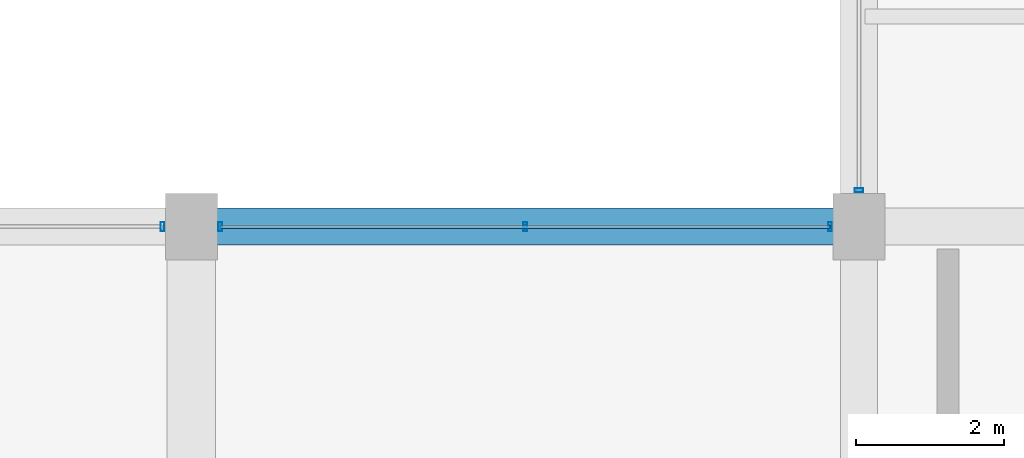
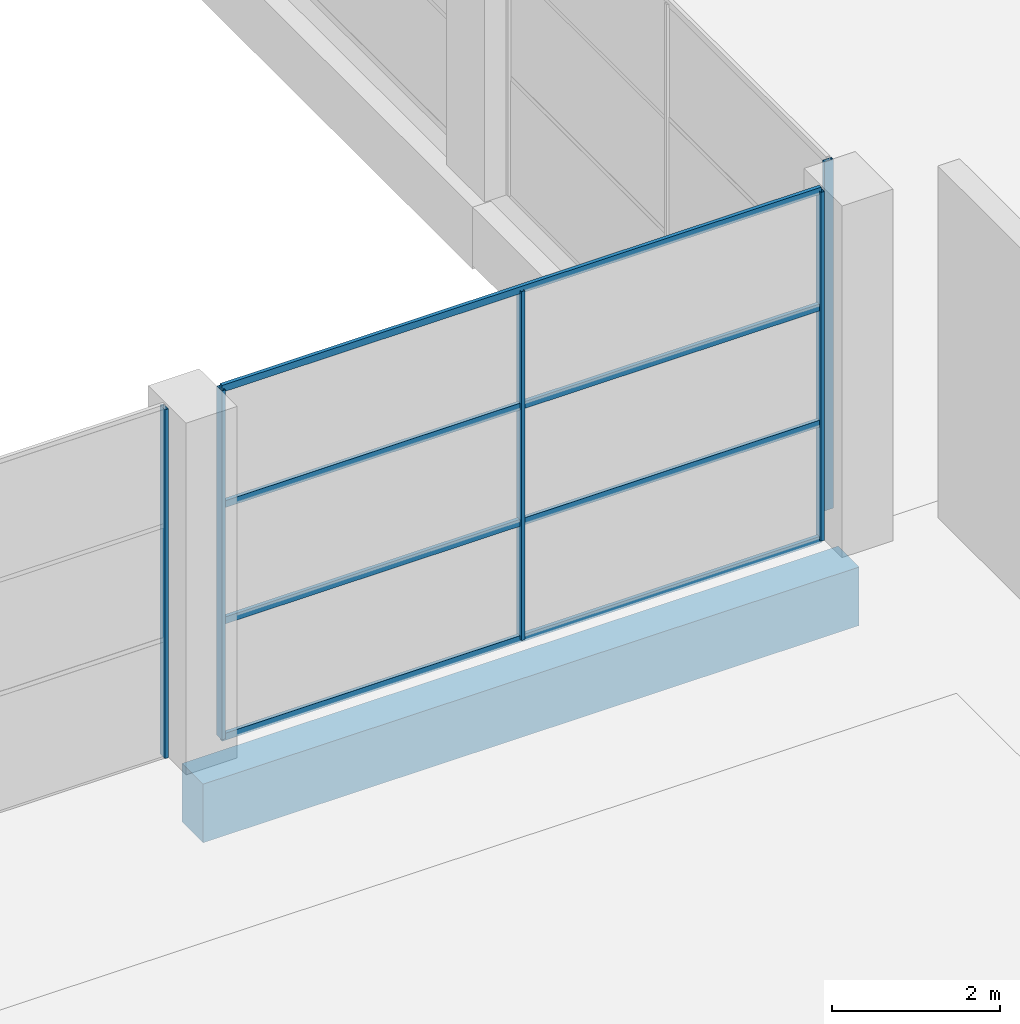
# One storey, part 46 of 90: 9 members, 1 beam, 3 elements without a shape of their own.
"""IFC4 building model written with IfcOpenShell, lengths in metres."""

from ifc_helpers import new_model, si_unit, direction, frame, origin, origin_2d, place, context, subcontext, project, spatial, rectangle, hollow_rectangle, extrude, material, material_profile, profile_set, type_object, element, aggregate, save


model = new_model("IFC4")

# Units and contexts
model_context = context("Model", 3, precision=1e-05, world=origin(), true_north=direction((0.0, 1.0)))
body_context = subcontext(model_context, "Body", "Model", "MODEL_VIEW")
ifc_project = project(units=[si_unit("LENGTHUNIT", "METRE"), si_unit("AREAUNIT", "SQUARE_METRE"), si_unit("VOLUMEUNIT", "CUBIC_METRE"), si_unit("PLANEANGLEUNIT", "RADIAN"), si_unit("MASSUNIT", "GRAM", prefix="KILO")], contexts=[model_context])

# Site, building, storey
site_placement = place(None, origin())
site = spatial("IfcSite", under=ifc_project, at=site_placement, CompositionType="ELEMENT")
building_placement = place(site_placement, origin())
building = spatial("IfcBuilding", under=site, at=building_placement, Name="Solvikara Media Centre", CompositionType="ELEMENT")
storey_placement = place(building_placement, origin())
storey = spatial("IfcBuildingStorey", under=building, at=storey_placement, Name="L00", CompositionType="ELEMENT", Elevation=0.0)

# Beam
ifc_material_1 = material(Name="Concrete fc' 35 MPa (C35/45)", Category="concrete")
ifc_material_profile_1 = material_profile(ifc_material_1, rectangle(XDim=0.5, YDim=0.85009765625, at=origin_2d()), Name="RC 500x850")
ifc_profile_set_1 = profile_set([ifc_material_profile_1], Name="Concrete fc' 35 MPa (C35/45)")
beam_type = type_object("IfcBeamType", Name="BM-08", PredefinedType="BEAM", material=ifc_profile_set_1)
beam_placement = place(storey_placement, frame((145.5, 72.0, -0.804931640625), z_axis=(1.0, 0.0, 0.0), x_axis=(0.0, 1.0, 0.0)))
element("IfcBeam", 1, at=beam_placement, inside=storey, type_object=beam_type, Name="B-L00-X0080", PredefinedType="BEAM", context=body_context, shape_type="SweptSolid", body=[
    extrude(rectangle(XDim=0.5, YDim=0.85009765625, at=origin_2d()), origin(), (0.0, 0.0, 1.0), 9.0),
])

# Curtain wall, member
ifc_material_2 = material(Name="Anodised aluminium EN AW-6063", Category="aluminium")
curtain_wall_type = type_object("IfcCurtainWallType", Name="CW-12", PredefinedType="NOTDEFINED", material=ifc_material_2)
curtain_wall_1_placement = place(storey_placement, origin())
curtain_wall_1 = element("IfcCurtainWall", 2, at=curtain_wall_1_placement, inside=storey, type_object=curtain_wall_type, Name="CW-L00-CRT-1-S1", PredefinedType="NOTDEFINED")
ifc_material_profile_2 = material_profile(ifc_material_2, hollow_rectangle(XDim=0.050048828125, YDim=0.1201171875, WallThickness=0.0029296875, at=origin_2d()), Name="ALU-M 50x120x3")
ifc_profile_set_2 = profile_set([ifc_material_profile_2], Name="Anodised aluminium EN AW-6063")
member_type_1 = type_object("IfcMemberType", Name="MF-06", PredefinedType="MULLION", material=ifc_profile_set_2)
member_1_placement = place(storey_placement, frame((145.110107421875, 72.0, 0.02001953125), z_axis=(0.0, 0.0, 1.0), x_axis=(1.0, 0.0, 0.0)))
member_1 = element("IfcMember", 3, at=member_1_placement, type_object=member_type_1, Name="CW-L00-CRT-1-S1-M02", PredefinedType="MULLION", context=body_context, shape_type="SweptSolid", body=[
    extrude(hollow_rectangle(XDim=0.050048828125, YDim=0.1201171875, WallThickness=0.0029296875, at=origin_2d()), origin(), (0.0, 0.0, 1.0), 5.06005859375),
])
aggregate(curtain_wall_1, [member_1])

# Curtain wall, members
curtain_wall_2_placement = place(storey_placement, origin())
curtain_wall_2 = element("IfcCurtainWall", 4, at=curtain_wall_2_placement, inside=storey, type_object=curtain_wall_type, Name="CW-L00-CRT-1-S2", PredefinedType="NOTDEFINED")
member_2_placement = place(storey_placement, frame((145.889892578125, 72.0, 0.02001953125), z_axis=(0.0, 0.0, 1.0), x_axis=(1.0, 0.0, 0.0)))
member_2 = element("IfcMember", 5, at=member_2_placement, type_object=member_type_1, Name="CW-L00-CRT-1-S2-M00", PredefinedType="MULLION", context=body_context, shape_type="SweptSolid", body=[
    extrude(hollow_rectangle(XDim=0.050048828125, YDim=0.1201171875, WallThickness=0.0029296875, at=origin_2d()), origin(), (0.0, 0.0, 1.0), 5.06005859375),
])
member_3_placement = place(storey_placement, frame((150.0, 72.0, 0.02001953125), z_axis=(0.0, 0.0, 1.0), x_axis=(1.0, 0.0, 0.0)))
member_3 = element("IfcMember", 6, at=member_3_placement, type_object=member_type_1, Name="CW-L00-CRT-1-S2-M01", PredefinedType="MULLION", context=body_context, shape_type="SweptSolid", body=[
    extrude(hollow_rectangle(XDim=0.050048828125, YDim=0.1201171875, WallThickness=0.0029296875, at=origin_2d()), origin(), (0.0, 0.0, 1.0), 5.06005859375),
])
member_4_placement = place(storey_placement, frame((154.110107421875, 72.0, 0.02001953125), z_axis=(0.0, 0.0, 1.0), x_axis=(1.0, 0.0, 0.0)))
member_4 = element("IfcMember", 7, at=member_4_placement, type_object=member_type_1, Name="CW-L00-CRT-1-S2-M02", PredefinedType="MULLION", context=body_context, shape_type="SweptSolid", body=[
    extrude(hollow_rectangle(XDim=0.050048828125, YDim=0.1201171875, WallThickness=0.0029296875, at=origin_2d()), origin(), (0.0, 0.0, 1.0), 5.06005859375),
])

# Curtain wall, member
curtain_wall_3_placement = place(storey_placement, origin())
curtain_wall_3 = element("IfcCurtainWall", 8, at=curtain_wall_3_placement, inside=storey, type_object=curtain_wall_type, Name="CW-L00-CRT-2-S1", PredefinedType="NOTDEFINED")
member_5_placement = place(storey_placement, frame((154.5, 72.489990234375, 0.02001953125), z_axis=(0.0, 0.0, 1.0), x_axis=(0.0, 1.0, 0.0)))
member_5 = element("IfcMember", 9, at=member_5_placement, type_object=member_type_1, Name="CW-L00-CRT-2-S1-M00", PredefinedType="MULLION", context=body_context, shape_type="SweptSolid", body=[
    extrude(hollow_rectangle(XDim=0.050048828125, YDim=0.1201171875, WallThickness=0.0029296875, at=origin_2d()), origin(), (0.0, 0.0, 1.0), 5.06005859375),
])
aggregate(curtain_wall_3, [member_5])

# Member
ifc_material_profile_3 = material_profile(ifc_material_2, hollow_rectangle(XDim=0.050048828125, YDim=0.10009765625, WallThickness=0.0029296875, at=origin_2d()), Name="ALU-T 50x100x3")
ifc_profile_set_3 = profile_set([ifc_material_profile_3], Name="Anodised aluminium EN AW-6063")
member_type_2 = type_object("IfcMemberType", Name="MF-12", PredefinedType="USERDEFINED", material=ifc_profile_set_3)
member_6_placement = place(storey_placement, frame((145.889892578125, 72.0, 0.02001953125), z_axis=(1.0, 0.0, 0.0), x_axis=(0.0, 1.0, 0.0)))
member_6 = element("IfcMember", 10, at=member_6_placement, type_object=member_type_2, Name="CW-L00-CRT-1-S2-T00", ObjectType="TRANSOM", PredefinedType="USERDEFINED", context=body_context, shape_type="SweptSolid", body=[
    extrude(hollow_rectangle(XDim=0.050048828125, YDim=0.10009765625, WallThickness=0.0029296875, at=origin_2d()), origin(), (0.0, 0.0, 1.0), 8.22021484375),
])

member_7_placement = place(storey_placement, frame((145.889892578125, 72.0, 1.70703125), z_axis=(1.0, 0.0, 0.0), x_axis=(0.0, 1.0, 0.0)))
member_7 = element("IfcMember", 11, at=member_7_placement, type_object=member_type_2, Name="CW-L00-CRT-1-S2-T01", ObjectType="TRANSOM", PredefinedType="USERDEFINED", context=body_context, shape_type="SweptSolid", body=[
    extrude(hollow_rectangle(XDim=0.050048828125, YDim=0.10009765625, WallThickness=0.0029296875, at=origin_2d()), origin(), (0.0, 0.0, 1.0), 8.22021484375),
])

member_8_placement = place(storey_placement, frame((145.889892578125, 72.0, 3.39306640625), z_axis=(1.0, 0.0, 0.0), x_axis=(0.0, 1.0, 0.0)))
member_8 = element("IfcMember", 12, at=member_8_placement, type_object=member_type_2, Name="CW-L00-CRT-1-S2-T02", ObjectType="TRANSOM", PredefinedType="USERDEFINED", context=body_context, shape_type="SweptSolid", body=[
    extrude(hollow_rectangle(XDim=0.050048828125, YDim=0.10009765625, WallThickness=0.0029296875, at=origin_2d()), origin(), (0.0, 0.0, 1.0), 8.22021484375),
])

member_9_placement = place(storey_placement, frame((145.889892578125, 72.0, 5.080078125), z_axis=(1.0, 0.0, 0.0), x_axis=(0.0, 1.0, 0.0)))
member_9 = element("IfcMember", 13, at=member_9_placement, type_object=member_type_2, Name="CW-L00-CRT-1-S2-T03", ObjectType="TRANSOM", PredefinedType="USERDEFINED", context=body_context, shape_type="SweptSolid", body=[
    extrude(hollow_rectangle(XDim=0.050048828125, YDim=0.10009765625, WallThickness=0.0029296875, at=origin_2d()), origin(), (0.0, 0.0, 1.0), 8.22021484375),
])

aggregate(curtain_wall_2, [member_2, member_3, member_4, member_6, member_7, member_8, member_9])

save(model, "model.ifc")
